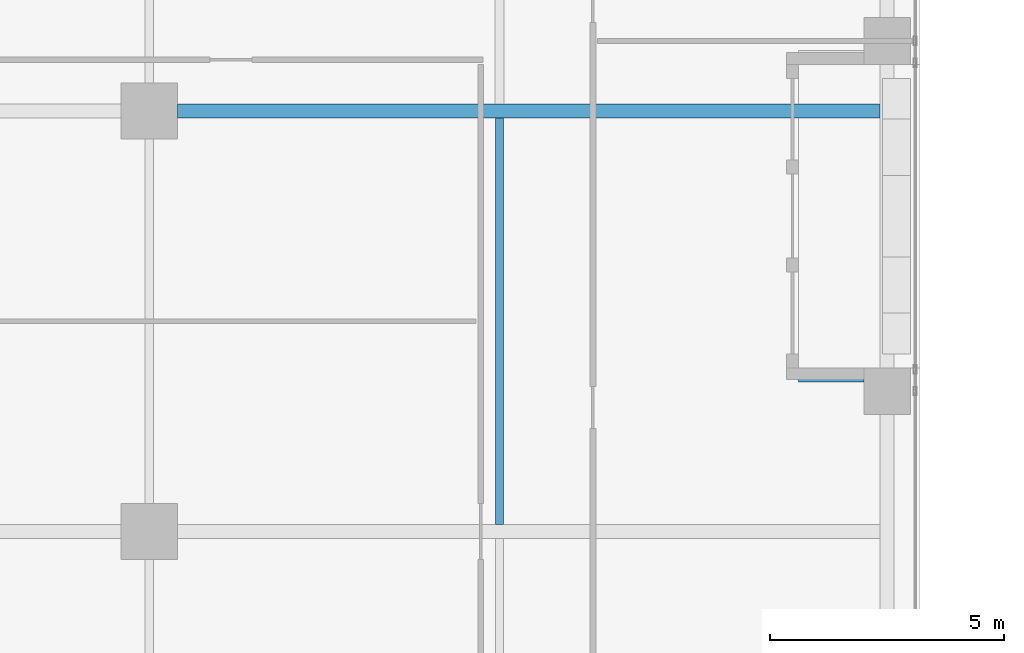
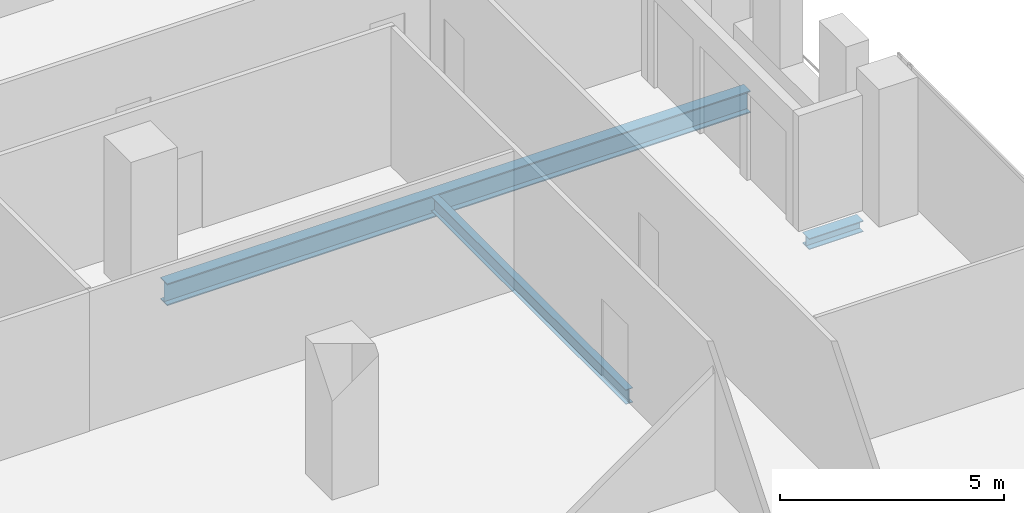
# One storey, part 23 of 40: 3 beams.
"""IFC4 building model written with IfcOpenShell, lengths in metres."""

from ifc_helpers import new_model, si_unit, direction, frame, origin, origin_2d, place, context, subcontext, project, spatial, i_section, extrude, source, transform, mapped, material, material_profile, profile_set, type_object, element, save


model = new_model("IFC4")

# Units and contexts
model_context = context("Model", 3, precision=1e-05, world=origin(), true_north=direction((0.0, 1.0)))
body_context = subcontext(model_context, "Body", "Model", "MODEL_VIEW")
ifc_project = project(units=[si_unit("LENGTHUNIT", "METRE"), si_unit("AREAUNIT", "SQUARE_METRE"), si_unit("VOLUMEUNIT", "CUBIC_METRE"), si_unit("PLANEANGLEUNIT", "RADIAN"), si_unit("MASSUNIT", "GRAM", prefix="KILO")], contexts=[model_context])

# Site, building, storey
site_placement = place(None, origin())
site = spatial("IfcSite", under=ifc_project, at=site_placement, CompositionType="ELEMENT")
building_placement = place(site_placement, origin())
building = spatial("IfcBuilding", under=site, at=building_placement, Name="Khomas Fold Tower", CompositionType="ELEMENT")
storey_placement = place(building_placement, frame((0.0, 0.0, 192.699951171875)))
storey = spatial("IfcBuildingStorey", under=building, at=storey_placement, Name="L42", CompositionType="ELEMENT", Elevation=192.699951171875)

# Beams
ifc_material_1 = material(Name="Steel S355", Category="steel")
ifc_material_profile_1 = material_profile(ifc_material_1, i_section(OverallWidth=0.179931640625, OverallDepth=0.39990234375, WebThickness=0.008544921875, FlangeThickness=0.013427734375, at=origin_2d()), Name="IPE 400")
ifc_profile_set_1 = profile_set([ifc_material_profile_1], Name="Steel S355")
beam_type_1 = type_object("IfcBeamType", Name="IPE 400 beam JB3", PredefinedType="BEAM", material=ifc_profile_set_1)
shared_shape_1 = source(origin(), body_context, "Body", "SweptSolid", [
    extrude(i_section(OverallWidth=0.179931640625, OverallDepth=0.39990234375, WebThickness=0.008544921875, FlangeThickness=0.013427734375, at=origin_2d()), origin(), (0.0, 0.0, 1.0), 8.7001953125),
])
beam_1_placement = place(storey_placement, frame((42.0, 31.64990234375, -0.449951171875), z_axis=(0.0, 1.0, 0.0), x_axis=(-1.0, 0.0, 0.0)))
element("IfcBeam", 1, at=beam_1_placement, inside=storey, type_object=beam_type_1, Name="JB3", PredefinedType="BEAM", context=body_context, shape_type="MappedRepresentation", body=[
    mapped(shared_shape_1, transform((0.0, 0.0, 0.0))),
])
ifc_material_2 = material(Name="Steel S355", Category="steel")
ifc_material_profile_2 = material_profile(ifc_material_2, i_section(OverallWidth=0.300048828125, OverallDepth=0.60009765625, WebThickness=0.015380859375, FlangeThickness=0.030029296875, at=origin_2d()), Name="HE 600 B")
ifc_profile_set_2 = profile_set([ifc_material_profile_2], Name="Steel S355")
beam_type_2 = type_object("IfcBeamType", Name="HE 600 B beam GB5", PredefinedType="BEAM", material=ifc_profile_set_2)
shared_shape_2 = source(origin(), body_context, "Body", "SweptSolid", [
    extrude(i_section(OverallWidth=0.300048828125, OverallDepth=0.60009765625, WebThickness=0.015380859375, FlangeThickness=0.030029296875, at=origin_2d()), origin(), (0.0, 0.0, 1.0), 15.0498046875),
])
beam_2_placement = place(storey_placement, frame((35.10009765625, 40.5, -0.550048828125), z_axis=(1.0, 0.0, 0.0), x_axis=(0.0, 1.0, 0.0)))
element("IfcBeam", 2, at=beam_2_placement, inside=storey, type_object=beam_type_2, Name="GB5", PredefinedType="BEAM", context=body_context, shape_type="MappedRepresentation", body=[
    mapped(shared_shape_2, transform((0.0, 0.0, 0.0))),
])
ifc_material_3 = material(Name="Steel S355", Category="steel")
ifc_material_profile_3 = material_profile(ifc_material_3, i_section(OverallWidth=0.300048828125, OverallDepth=0.300048828125, WebThickness=0.010986328125, FlangeThickness=0.01904296875, at=origin_2d()), Name="HE 300 B")
ifc_profile_set_3 = profile_set([ifc_material_profile_3], Name="Steel S355")
beam_type_3 = type_object("IfcBeamType", Name="HE 300 B beam BB1", PredefinedType="BEAM", material=ifc_profile_set_3)
shared_shape_3 = source(origin(), body_context, "Body", "SweptSolid", [
    extrude(i_section(OverallWidth=0.300048828125, OverallDepth=0.300048828125, WebThickness=0.010986328125, FlangeThickness=0.01904296875, at=origin_2d()), origin(), (0.0, 0.0, 1.0), 1.400146484375),
])
beam_3_placement = place(storey_placement, frame((48.39990234375, 34.85009765625, -0.39990234375), z_axis=(1.0, 0.0, 0.0), x_axis=(0.0, 1.0, 0.0)))
element("IfcBeam", 3, at=beam_3_placement, inside=storey, type_object=beam_type_3, Name="BB1", PredefinedType="BEAM", context=body_context, shape_type="MappedRepresentation", body=[
    mapped(shared_shape_3, transform((0.0, 0.0, 0.0))),
])

save(model, "model.ifc")
